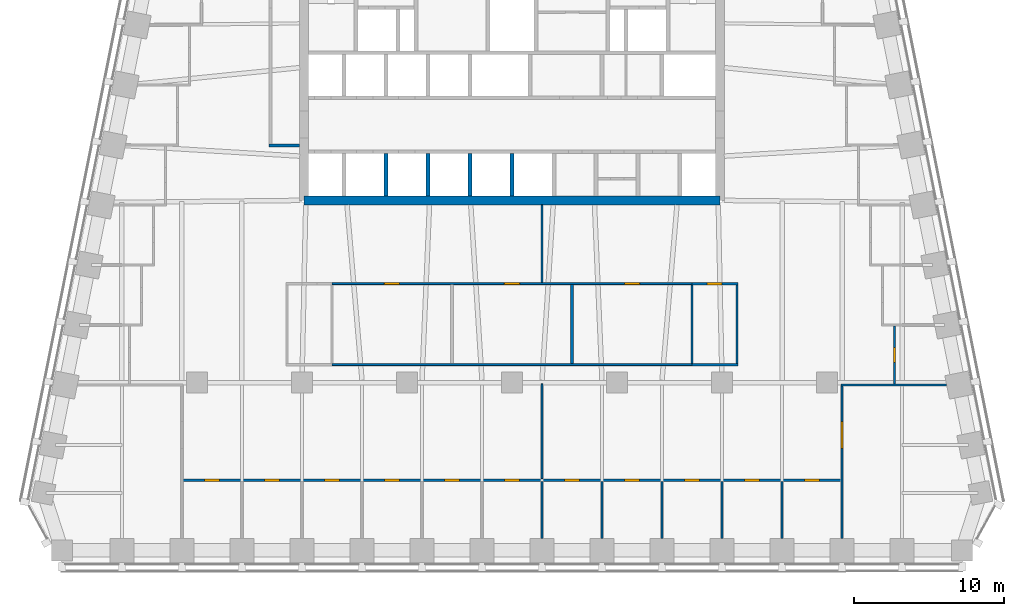
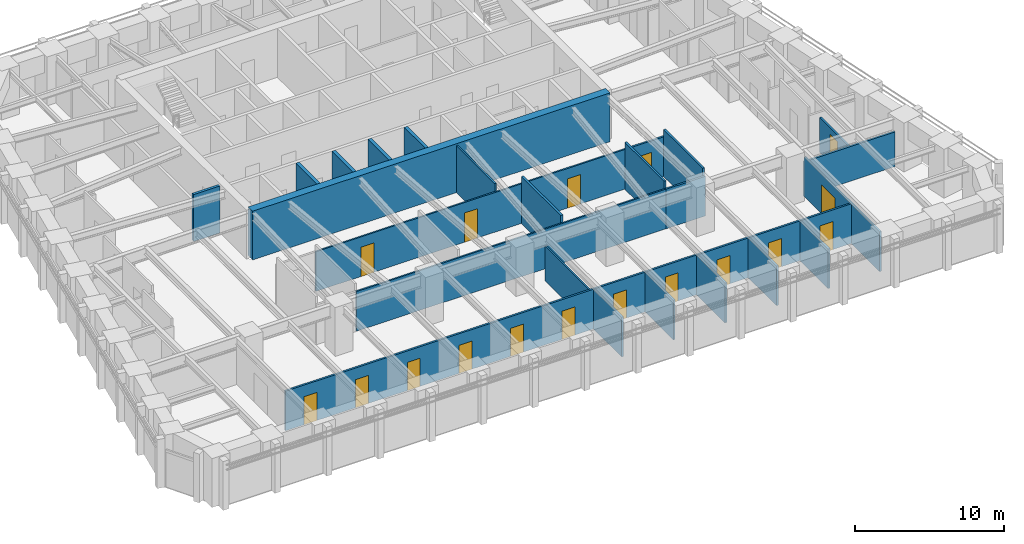
# One storey, part 6 of 11: 24 walls, 17 doors, 17 openings.
"""IFC4 building model written with IfcOpenShell, lengths in metres."""

from ifc_helpers import new_model, si_unit, direction, frame, frame_2d, origin, place, context, subcontext, project, spatial, rectangle, extrude, material, layer, layer_set, type_object, element, fill, save


model = new_model("IFC4")

# Units and contexts
model_context = context("Model", 3, precision=1e-05, world=origin(), true_north=direction((0.0, 1.0)))
body_context = subcontext(model_context, "Body", "Model", "MODEL_VIEW")
ifc_project = project(units=[si_unit("LENGTHUNIT", "METRE"), si_unit("AREAUNIT", "SQUARE_METRE"), si_unit("VOLUMEUNIT", "CUBIC_METRE"), si_unit("PLANEANGLEUNIT", "RADIAN"), si_unit("MASSUNIT", "GRAM", prefix="KILO")], contexts=[model_context])

# Site, building, storey
site_placement = place(None, origin())
site = spatial("IfcSite", under=ifc_project, at=site_placement, CompositionType="ELEMENT")
building_placement = place(site_placement, origin())
building = spatial("IfcBuilding", under=site, at=building_placement, Name="Isbrekke Arena Tower", CompositionType="ELEMENT")
storey_placement = place(building_placement, frame((0.0, 0.0, 210.0)))
storey = spatial("IfcBuildingStorey", under=building, at=storey_placement, Name="L48", CompositionType="ELEMENT", Elevation=210.0)

# Walls
ifc_material_1 = material(Name="Concrete B55 (C55/67)", Category="concrete")
ifc_layer_1 = layer(ifc_material_1, 0.60009765625)
ifc_layer_set_1 = layer_set([ifc_layer_1], Name="CW4 CORE WALL 600")
wall_type_1 = type_object("IfcWallType", Name="CW4 CORE WALL 600", PredefinedType="SHEAR", material=ifc_layer_set_1)
wall_1_placement = place(storey_placement, frame((-13.85009765625, 6.14990234375, 0.0), z_axis=(0.0, 0.0, 1.0), x_axis=(1.0, 0.0, 0.0)))
element("IfcWall", 1, at=wall_1_placement, inside=storey, type_object=wall_type_1, Name="Core wall S L48", PredefinedType="SHEAR", context=body_context, shape_type="SweptSolid", body=[
    extrude(rectangle(XDim=27.7001953125, YDim=0.60009765625, at=frame_2d((13.85009765625, 0.0))), origin(), (0.0, 0.0, 1.0), 4.0),
])
ifc_material_2 = material(Name="Concrete B45 (C45/55)", Category="concrete")
ifc_layer_2 = layer(ifc_material_2, 0.25)
ifc_layer_set_2 = layer_set([ifc_layer_2], Name="CW6 SHAFT WALL 250")
wall_type_2 = type_object("IfcWallType", Name="CW6 SHAFT WALL 250", PredefinedType="SHEAR", material=ifc_layer_set_2)
for number, where, z_axis, x_axis, name in (
    (2, (-8.39990234375, 6.449951171875, 0.0), (0.0, 0.0, 1.0), (0.0, 1.0, 0.0), "Core wall SS02 L48"),
    (3, (-5.60009765625, 6.449951171875, 0.0), (0.0, 0.0, 1.0), (0.0, 1.0, 0.0), "Core wall SS03 L48"),
    (4, (-2.800048828125, 6.449951171875, 0.0), (0.0, 0.0, 1.0), (0.0, 1.0, 0.0), "Core wall SS04 L48"),
    (5, (0.0, 6.449951171875, 0.0), (0.0, 0.0, 1.0), (0.0, 1.0, 0.0), "Core wall SS05 L48"),
):
    element("IfcWall", number, at=place(storey_placement, frame(where, z_axis=z_axis, x_axis=x_axis)), inside=storey, type_object=wall_type_2, Name=name, PredefinedType="SHEAR", context=body_context, shape_type="SweptSolid", body=[
        extrude(rectangle(XDim=2.824951171875, YDim=0.25, at=frame_2d((1.41259765625, 0.0))), origin(), (0.0, 0.0, 1.0), 4.0),
    ])

# Wall, openings, doors
ifc_material_3 = material(Name="Gypsum board partition on steel studs", Category="steel")
ifc_layer_3 = layer(ifc_material_3, 0.14990234375)
ifc_layer_set_3 = layer_set([ifc_layer_3], Name="IW1 PARTITION 150")
wall_type_3 = type_object("IfcWallType", Name="IW1 PARTITION 150", PredefinedType="PARTITIONING", material=ifc_layer_set_3)
wall_2_placement = place(storey_placement, frame((-21.925048828125, -12.5, 0.0), z_axis=(0.0, 0.0, 1.0), x_axis=(1.0, 0.0, 0.0)))
wall_2 = element("IfcWall", 6, at=wall_2_placement, inside=storey, type_object=wall_type_3, Name="IW1 partition 150 L48", PredefinedType="PARTITIONING", context=body_context, shape_type="SweptSolid", body=[
    extrude(rectangle(XDim=43.85009765625, YDim=0.14990234375, at=frame_2d((21.925048828125, 0.0))), origin(), (0.0, 0.0, 1.0), 3.25),
])
opening_1_placement = place(wall_2_placement, frame((1.425048828125, 0.0, 0.0)))
opening_1 = element("IfcOpeningElement", 7, at=opening_1_placement, cuts=wall_2, Name="Opening D10", PredefinedType="OPENING", context=body_context, shape_type="SweptSolid", body=[
    extrude(rectangle(XDim=1.0, YDim=2.300048828125, at=frame_2d((0.5, 1.14990234375))), frame((0.0, 0.08984375, 0.0), z_axis=(0.0, -1.0, 0.0), x_axis=(1.0, 0.0, 0.0)), (0.0, 0.0, 1.0), 0.1796875),
])
opening_2_placement = place(wall_2_placement, frame((5.425048828125, 0.0, 0.0)))
opening_2 = element("IfcOpeningElement", 8, at=opening_2_placement, cuts=wall_2, Name="Opening D10", PredefinedType="OPENING", context=body_context, shape_type="SweptSolid", body=[
    extrude(rectangle(XDim=1.0, YDim=2.300048828125, at=frame_2d((0.5, 1.14990234375))), frame((0.0, 0.08984375, 0.0), z_axis=(0.0, -1.0, 0.0), x_axis=(1.0, 0.0, 0.0)), (0.0, 0.0, 1.0), 0.1796875),
])
opening_3_placement = place(wall_2_placement, frame((9.425048828125, 0.0, 0.0)))
opening_3 = element("IfcOpeningElement", 9, at=opening_3_placement, cuts=wall_2, Name="Opening D10", PredefinedType="OPENING", context=body_context, shape_type="SweptSolid", body=[
    extrude(rectangle(XDim=1.0, YDim=2.300048828125, at=frame_2d((0.5, 1.14990234375))), frame((0.0, 0.08984375, 0.0), z_axis=(0.0, -1.0, 0.0), x_axis=(1.0, 0.0, 0.0)), (0.0, 0.0, 1.0), 0.1796875),
])
opening_4_placement = place(wall_2_placement, frame((13.425048828125, 0.0, 0.0)))
opening_4 = element("IfcOpeningElement", 10, at=opening_4_placement, cuts=wall_2, Name="Opening D10", PredefinedType="OPENING", context=body_context, shape_type="SweptSolid", body=[
    extrude(rectangle(XDim=1.0, YDim=2.300048828125, at=frame_2d((0.5, 1.14990234375))), frame((0.0, 0.08984375, 0.0), z_axis=(0.0, -1.0, 0.0), x_axis=(1.0, 0.0, 0.0)), (0.0, 0.0, 1.0), 0.1796875),
])
opening_5_placement = place(wall_2_placement, frame((17.425048828125, 0.0, 0.0)))
opening_5 = element("IfcOpeningElement", 11, at=opening_5_placement, cuts=wall_2, Name="Opening D10", PredefinedType="OPENING", context=body_context, shape_type="SweptSolid", body=[
    extrude(rectangle(XDim=1.0, YDim=2.300048828125, at=frame_2d((0.5, 1.14990234375))), frame((0.0, 0.08984375, 0.0), z_axis=(0.0, -1.0, 0.0), x_axis=(1.0, 0.0, 0.0)), (0.0, 0.0, 1.0), 0.1796875),
])
opening_6_placement = place(wall_2_placement, frame((21.425048828125, 0.0, 0.0)))
opening_6 = element("IfcOpeningElement", 12, at=opening_6_placement, cuts=wall_2, Name="Opening D10", PredefinedType="OPENING", context=body_context, shape_type="SweptSolid", body=[
    extrude(rectangle(XDim=1.0, YDim=2.300048828125, at=frame_2d((0.5, 1.14990234375))), frame((0.0, 0.08984375, 0.0), z_axis=(0.0, -1.0, 0.0), x_axis=(1.0, 0.0, 0.0)), (0.0, 0.0, 1.0), 0.1796875),
])
opening_7_placement = place(wall_2_placement, frame((25.425048828125, 0.0, 0.0)))
opening_7 = element("IfcOpeningElement", 13, at=opening_7_placement, cuts=wall_2, Name="Opening D10", PredefinedType="OPENING", context=body_context, shape_type="SweptSolid", body=[
    extrude(rectangle(XDim=1.0, YDim=2.300048828125, at=frame_2d((0.5, 1.14990234375))), frame((0.0, 0.08984375, 0.0), z_axis=(0.0, -1.0, 0.0), x_axis=(1.0, 0.0, 0.0)), (0.0, 0.0, 1.0), 0.1796875),
])
opening_8_placement = place(wall_2_placement, frame((29.425048828125, 0.0, 0.0)))
opening_8 = element("IfcOpeningElement", 14, at=opening_8_placement, cuts=wall_2, Name="Opening D10", PredefinedType="OPENING", context=body_context, shape_type="SweptSolid", body=[
    extrude(rectangle(XDim=1.0, YDim=2.300048828125, at=frame_2d((0.5, 1.14990234375))), frame((0.0, 0.08984375, 0.0), z_axis=(0.0, -1.0, 0.0), x_axis=(1.0, 0.0, 0.0)), (0.0, 0.0, 1.0), 0.1796875),
])
opening_9_placement = place(wall_2_placement, frame((33.425048828125, 0.0, 0.0)))
opening_9 = element("IfcOpeningElement", 15, at=opening_9_placement, cuts=wall_2, Name="Opening D10", PredefinedType="OPENING", context=body_context, shape_type="SweptSolid", body=[
    extrude(rectangle(XDim=1.0, YDim=2.300048828125, at=frame_2d((0.5, 1.14990234375))), frame((0.0, 0.08984375, 0.0), z_axis=(0.0, -1.0, 0.0), x_axis=(1.0, 0.0, 0.0)), (0.0, 0.0, 1.0), 0.1796875),
])
opening_10_placement = place(wall_2_placement, frame((37.425048828125, 0.0, 0.0)))
opening_10 = element("IfcOpeningElement", 16, at=opening_10_placement, cuts=wall_2, Name="Opening D10", PredefinedType="OPENING", context=body_context, shape_type="SweptSolid", body=[
    extrude(rectangle(XDim=1.0, YDim=2.300048828125, at=frame_2d((0.5, 1.14990234375))), frame((0.0, 0.08984375, 0.0), z_axis=(0.0, -1.0, 0.0), x_axis=(1.0, 0.0, 0.0)), (0.0, 0.0, 1.0), 0.1796875),
])
opening_11_placement = place(wall_2_placement, frame((41.425048828125, 0.0, 0.0)))
opening_11 = element("IfcOpeningElement", 17, at=opening_11_placement, cuts=wall_2, Name="Opening D10", PredefinedType="OPENING", context=body_context, shape_type="SweptSolid", body=[
    extrude(rectangle(XDim=1.0, YDim=2.300048828125, at=frame_2d((0.5, 1.14990234375))), frame((0.0, 0.08984375, 0.0), z_axis=(0.0, -1.0, 0.0), x_axis=(1.0, 0.0, 0.0)), (0.0, 0.0, 1.0), 0.1796875),
])
ifc_material_4 = material(Name="Timber door", Category="wood")
door_type_1 = type_object("IfcDoorType", Name="D10 OFFICE DOOR 1000 x 2300", OperationType="SINGLE_SWING_LEFT", PredefinedType="DOOR", material=ifc_material_4)
door_1_placement = place(opening_1_placement, origin())
door_1 = element("IfcDoor", 18, at=door_1_placement, inside=storey, type_object=door_type_1, Name="D10 office door L48", OperationType="SINGLE_SWING_LEFT", OverallHeight=2.300048828125, OverallWidth=1.0, PredefinedType="DOOR", context=body_context, shape_type="SweptSolid", body=[
    extrude(rectangle(XDim=1.0, YDim=2.300048828125, at=frame_2d((0.5, 1.14990234375))), frame((0.0, 0.07470703125, 0.0), z_axis=(0.0, -1.0, 0.0), x_axis=(1.0, 0.0, 0.0)), (0.0, 0.0, 1.0), 0.1494140625),
])
fill(opening_1, door_1)
door_2_placement = place(opening_2_placement, origin())
door_2 = element("IfcDoor", 19, at=door_2_placement, inside=storey, type_object=door_type_1, Name="D10 office door L48", OperationType="SINGLE_SWING_LEFT", OverallHeight=2.300048828125, OverallWidth=1.0, PredefinedType="DOOR", context=body_context, shape_type="SweptSolid", body=[
    extrude(rectangle(XDim=1.0, YDim=2.300048828125, at=frame_2d((0.5, 1.14990234375))), frame((0.0, 0.07470703125, 0.0), z_axis=(0.0, -1.0, 0.0), x_axis=(1.0, 0.0, 0.0)), (0.0, 0.0, 1.0), 0.1494140625),
])
fill(opening_2, door_2)
door_3_placement = place(opening_3_placement, origin())
door_3 = element("IfcDoor", 20, at=door_3_placement, inside=storey, type_object=door_type_1, Name="D10 office door L48", OperationType="SINGLE_SWING_LEFT", OverallHeight=2.300048828125, OverallWidth=1.0, PredefinedType="DOOR", context=body_context, shape_type="SweptSolid", body=[
    extrude(rectangle(XDim=1.0, YDim=2.300048828125, at=frame_2d((0.5, 1.14990234375))), frame((0.0, 0.07470703125, 0.0), z_axis=(0.0, -1.0, 0.0), x_axis=(1.0, 0.0, 0.0)), (0.0, 0.0, 1.0), 0.1494140625),
])
fill(opening_3, door_3)
door_4_placement = place(opening_4_placement, origin())
door_4 = element("IfcDoor", 21, at=door_4_placement, inside=storey, type_object=door_type_1, Name="D10 office door L48", OperationType="SINGLE_SWING_LEFT", OverallHeight=2.300048828125, OverallWidth=1.0, PredefinedType="DOOR", context=body_context, shape_type="SweptSolid", body=[
    extrude(rectangle(XDim=1.0, YDim=2.300048828125, at=frame_2d((0.5, 1.14990234375))), frame((0.0, 0.07470703125, 0.0), z_axis=(0.0, -1.0, 0.0), x_axis=(1.0, 0.0, 0.0)), (0.0, 0.0, 1.0), 0.1494140625),
])
fill(opening_4, door_4)
door_5_placement = place(opening_5_placement, origin())
door_5 = element("IfcDoor", 22, at=door_5_placement, inside=storey, type_object=door_type_1, Name="D10 office door L48", OperationType="SINGLE_SWING_LEFT", OverallHeight=2.300048828125, OverallWidth=1.0, PredefinedType="DOOR", context=body_context, shape_type="SweptSolid", body=[
    extrude(rectangle(XDim=1.0, YDim=2.300048828125, at=frame_2d((0.5, 1.14990234375))), frame((0.0, 0.07470703125, 0.0), z_axis=(0.0, -1.0, 0.0), x_axis=(1.0, 0.0, 0.0)), (0.0, 0.0, 1.0), 0.1494140625),
])
fill(opening_5, door_5)
door_6_placement = place(opening_6_placement, origin())
door_6 = element("IfcDoor", 23, at=door_6_placement, inside=storey, type_object=door_type_1, Name="D10 office door L48", OperationType="SINGLE_SWING_LEFT", OverallHeight=2.300048828125, OverallWidth=1.0, PredefinedType="DOOR", context=body_context, shape_type="SweptSolid", body=[
    extrude(rectangle(XDim=1.0, YDim=2.300048828125, at=frame_2d((0.5, 1.14990234375))), frame((0.0, 0.07470703125, 0.0), z_axis=(0.0, -1.0, 0.0), x_axis=(1.0, 0.0, 0.0)), (0.0, 0.0, 1.0), 0.1494140625),
])
fill(opening_6, door_6)
door_7_placement = place(opening_7_placement, origin())
door_7 = element("IfcDoor", 24, at=door_7_placement, inside=storey, type_object=door_type_1, Name="D10 office door L48", OperationType="SINGLE_SWING_LEFT", OverallHeight=2.300048828125, OverallWidth=1.0, PredefinedType="DOOR", context=body_context, shape_type="SweptSolid", body=[
    extrude(rectangle(XDim=1.0, YDim=2.300048828125, at=frame_2d((0.5, 1.14990234375))), frame((0.0, 0.07470703125, 0.0), z_axis=(0.0, -1.0, 0.0), x_axis=(1.0, 0.0, 0.0)), (0.0, 0.0, 1.0), 0.1494140625),
])
fill(opening_7, door_7)
door_8_placement = place(opening_8_placement, origin())
door_8 = element("IfcDoor", 25, at=door_8_placement, inside=storey, type_object=door_type_1, Name="D10 office door L48", OperationType="SINGLE_SWING_LEFT", OverallHeight=2.300048828125, OverallWidth=1.0, PredefinedType="DOOR", context=body_context, shape_type="SweptSolid", body=[
    extrude(rectangle(XDim=1.0, YDim=2.300048828125, at=frame_2d((0.5, 1.14990234375))), frame((0.0, 0.07470703125, 0.0), z_axis=(0.0, -1.0, 0.0), x_axis=(1.0, 0.0, 0.0)), (0.0, 0.0, 1.0), 0.1494140625),
])
fill(opening_8, door_8)
door_9_placement = place(opening_9_placement, origin())
door_9 = element("IfcDoor", 26, at=door_9_placement, inside=storey, type_object=door_type_1, Name="D10 office door L48", OperationType="SINGLE_SWING_LEFT", OverallHeight=2.300048828125, OverallWidth=1.0, PredefinedType="DOOR", context=body_context, shape_type="SweptSolid", body=[
    extrude(rectangle(XDim=1.0, YDim=2.300048828125, at=frame_2d((0.5, 1.14990234375))), frame((0.0, 0.07470703125, 0.0), z_axis=(0.0, -1.0, 0.0), x_axis=(1.0, 0.0, 0.0)), (0.0, 0.0, 1.0), 0.1494140625),
])
fill(opening_9, door_9)
door_10_placement = place(opening_10_placement, origin())
door_10 = element("IfcDoor", 27, at=door_10_placement, inside=storey, type_object=door_type_1, Name="D10 office door L48", OperationType="SINGLE_SWING_LEFT", OverallHeight=2.300048828125, OverallWidth=1.0, PredefinedType="DOOR", context=body_context, shape_type="SweptSolid", body=[
    extrude(rectangle(XDim=1.0, YDim=2.300048828125, at=frame_2d((0.5, 1.14990234375))), frame((0.0, 0.07470703125, 0.0), z_axis=(0.0, -1.0, 0.0), x_axis=(1.0, 0.0, 0.0)), (0.0, 0.0, 1.0), 0.1494140625),
])
fill(opening_10, door_10)
door_11_placement = place(opening_11_placement, origin())
door_11 = element("IfcDoor", 28, at=door_11_placement, inside=storey, type_object=door_type_1, Name="D10 office door L48", OperationType="SINGLE_SWING_LEFT", OverallHeight=2.300048828125, OverallWidth=1.0, PredefinedType="DOOR", context=body_context, shape_type="SweptSolid", body=[
    extrude(rectangle(XDim=1.0, YDim=2.300048828125, at=frame_2d((0.5, 1.14990234375))), frame((0.0, 0.07470703125, 0.0), z_axis=(0.0, -1.0, 0.0), x_axis=(1.0, 0.0, 0.0)), (0.0, 0.0, 1.0), 0.1494140625),
])
fill(opening_11, door_11)

# Walls
wall_3_placement = place(storey_placement, frame((21.925048828125, -6.159912109375, 0.0), z_axis=(0.0, 0.0, 1.0), x_axis=(1.0, 0.0, 0.0)))
element("IfcWall", 29, at=wall_3_placement, inside=storey, type_object=wall_type_3, Name="IW1 partition 150 L48", PredefinedType="PARTITIONING", context=body_context, shape_type="SweptSolid", body=[
    extrude(rectangle(XDim=7.0498046875, YDim=0.14990234375, at=frame_2d((3.52490234375, 0.0))), origin(), (0.0, 0.0, 1.0), 2.842041015625),
])
wall_4_placement = place(storey_placement, frame((12.0, -4.800048828125, 0.0), z_axis=(0.0, 0.0, 1.0), x_axis=(1.0, 0.0, 0.0)))
element("IfcWall", 30, at=wall_4_placement, inside=storey, type_object=wall_type_3, Name="IW1 partition 150 L48", PredefinedType="PARTITIONING", context=body_context, shape_type="SweptSolid", body=[
    extrude(rectangle(XDim=3.074951171875, YDim=0.14990234375, at=frame_2d((1.53759765625, 0.0))), origin(), (0.0, 0.0, 1.0), 3.25),
])

# Wall, opening, door
wall_5_placement = place(storey_placement, frame((12.0, 0.60009765625, 0.0), z_axis=(0.0, 0.0, 1.0), x_axis=(1.0, 0.0, 0.0)))
wall_5 = element("IfcWall", 31, at=wall_5_placement, inside=storey, type_object=wall_type_3, Name="IW1 partition 150 L48", PredefinedType="PARTITIONING", context=body_context, shape_type="SweptSolid", body=[
    extrude(rectangle(XDim=3.074951171875, YDim=0.14990234375, at=frame_2d((1.53759765625, 0.0))), origin(), (0.0, 0.0, 1.0), 3.25),
])
opening_12_placement = place(wall_5_placement, frame((1.0, 0.0, 0.0)))
opening_12 = element("IfcOpeningElement", 32, at=opening_12_placement, cuts=wall_5, Name="Opening D10", PredefinedType="OPENING", context=body_context, shape_type="SweptSolid", body=[
    extrude(rectangle(XDim=1.0, YDim=2.300048828125, at=frame_2d((0.5, 1.14990234375))), frame((0.0, 0.08984375, 0.0), z_axis=(0.0, -1.0, 0.0), x_axis=(1.0, 0.0, 0.0)), (0.0, 0.0, 1.0), 0.1796875),
])
door_12_placement = place(opening_12_placement, origin())
door_12 = element("IfcDoor", 33, at=door_12_placement, inside=storey, type_object=door_type_1, Name="D10 store door L48", OperationType="SINGLE_SWING_LEFT", OverallHeight=2.300048828125, OverallWidth=1.0, PredefinedType="DOOR", context=body_context, shape_type="SweptSolid", body=[
    extrude(rectangle(XDim=1.0, YDim=2.300048828125, at=frame_2d((0.5, 1.14990234375))), frame((0.0, 0.07470703125, 0.0), z_axis=(0.0, -1.0, 0.0), x_axis=(1.0, 0.0, 0.0)), (0.0, 0.0, 1.0), 0.1494140625),
])
fill(opening_12, door_12)

# Walls
for number, where, z_axis, x_axis, name in (
    (34, (2.0, -16.375, 0.0), (0.0, 0.0, 1.0), (0.0, 1.0, 0.0), "IW1 partition 150 L48"),
    (35, (6.0, -16.375, 0.0), (0.0, 0.0, 1.0), (0.0, 1.0, 0.0), "IW1 partition 150 L48"),
    (36, (10.0, -16.375, 0.0), (0.0, 0.0, 1.0), (0.0, 1.0, 0.0), "IW1 partition 150 L48"),
):
    element("IfcWall", number, at=place(storey_placement, frame(where, z_axis=z_axis, x_axis=x_axis)), inside=storey, type_object=wall_type_3, Name=name, PredefinedType="PARTITIONING", context=body_context, shape_type="SweptSolid", body=[
        extrude(rectangle(XDim=3.800048828125, YDim=0.14990234375, at=frame_2d((1.89990234375, 0.0))), origin(), (0.0, 0.0, 1.0), 3.25),
    ])
wall_6_placement = place(storey_placement, frame((12.0, -4.72509765625, 0.0), z_axis=(0.0, 0.0, 1.0), x_axis=(0.0, 1.0, 0.0)))
element("IfcWall", 37, at=wall_6_placement, inside=storey, type_object=wall_type_3, Name="IW1 partition 150 L48", PredefinedType="PARTITIONING", context=body_context, shape_type="SweptSolid", body=[
    extrude(rectangle(XDim=5.25, YDim=0.14990234375, at=frame_2d((2.625, 0.0))), origin(), (0.0, 0.0, 1.0), 3.85009765625),
])
wall_7_placement = place(storey_placement, frame((14.0, -16.375, 0.0), z_axis=(0.0, 0.0, 1.0), x_axis=(0.0, 1.0, 0.0)))
element("IfcWall", 38, at=wall_7_placement, inside=storey, type_object=wall_type_3, Name="IW1 partition 150 L48", PredefinedType="PARTITIONING", context=body_context, shape_type="SweptSolid", body=[
    extrude(rectangle(XDim=3.800048828125, YDim=0.14990234375, at=frame_2d((1.89990234375, 0.0))), origin(), (0.0, 0.0, 1.0), 3.25),
])
wall_8_placement = place(storey_placement, frame((15.0, -4.72509765625, 0.0), z_axis=(0.0, 0.0, 1.0), x_axis=(0.0, 1.0, 0.0)))
element("IfcWall", 39, at=wall_8_placement, inside=storey, type_object=wall_type_3, Name="IW1 partition 150 L48", PredefinedType="PARTITIONING", context=body_context, shape_type="SweptSolid", body=[
    extrude(rectangle(XDim=5.25, YDim=0.14990234375, at=frame_2d((2.625, 0.0))), origin(), (0.0, 0.0, 1.0), 3.85009765625),
])
wall_9_placement = place(storey_placement, frame((18.0, -16.375, 0.0), z_axis=(0.0, 0.0, 1.0), x_axis=(0.0, 1.0, 0.0)))
element("IfcWall", 40, at=wall_9_placement, inside=storey, type_object=wall_type_3, Name="IW1 partition 150 L48", PredefinedType="PARTITIONING", context=body_context, shape_type="SweptSolid", body=[
    extrude(rectangle(XDim=3.800048828125, YDim=0.14990234375, at=frame_2d((1.89990234375, 0.0))), origin(), (0.0, 0.0, 1.0), 3.25),
])

# Wall, opening, door
wall_10_placement = place(storey_placement, frame((22.0, -16.375, 0.0), z_axis=(0.0, 0.0, 1.0), x_axis=(0.0, 1.0, 0.0)))
wall_10 = element("IfcWall", 41, at=wall_10_placement, inside=storey, type_object=wall_type_3, Name="IW1 partition 150 L48", PredefinedType="PARTITIONING", context=body_context, shape_type="SweptSolid", body=[
    extrude(rectangle(XDim=10.139892578125, YDim=0.14990234375, at=frame_2d((5.06982421875, 0.0))), origin(), (0.0, 0.0, 1.0), 3.25),
])
opening_13_placement = place(wall_10_placement, frame((5.97509765625, 0.0, 0.0)))
opening_13 = element("IfcOpeningElement", 42, at=opening_13_placement, cuts=wall_10, Name="Opening D13", PredefinedType="OPENING", context=body_context, shape_type="SweptSolid", body=[
    extrude(rectangle(XDim=1.800048828125, YDim=2.39990234375, at=frame_2d((0.89990234375, 1.199951171875))), frame((0.0, 0.08984375, 0.0), z_axis=(0.0, -1.0, 0.0), x_axis=(1.0, 0.0, 0.0)), (0.0, 0.0, 1.0), 0.1796875),
])
ifc_material_5 = material(Name="Timber door pair", Category="wood")
door_type_2 = type_object("IfcDoorType", Name="D13 DOUBLE ROOM DOOR 1800 x 2400", OperationType="DOUBLE_DOOR_SINGLE_SWING", PredefinedType="DOOR", material=ifc_material_5)
door_13_placement = place(opening_13_placement, origin())
door_13 = element("IfcDoor", 43, at=door_13_placement, inside=storey, type_object=door_type_2, Name="D13 office door L48", OperationType="DOUBLE_DOOR_SINGLE_SWING", OverallHeight=2.39990234375, OverallWidth=1.800048828125, PredefinedType="DOOR", context=body_context, shape_type="SweptSolid", body=[
    extrude(rectangle(XDim=1.800048828125, YDim=2.39990234375, at=frame_2d((0.89990234375, 1.199951171875))), frame((0.0, 0.07470703125, 0.0), z_axis=(0.0, -1.0, 0.0), x_axis=(1.0, 0.0, 0.0)), (0.0, 0.0, 1.0), 0.1494140625),
])
fill(opening_13, door_13)

wall_11_placement = place(storey_placement, frame((25.5, -6.0849609375, 0.0), z_axis=(0.0, 0.0, 1.0), x_axis=(0.0, 1.0, 0.0)))
wall_11 = element("IfcWall", 44, at=wall_11_placement, inside=storey, type_object=wall_type_3, Name="IW1 partition 150 L48", PredefinedType="PARTITIONING", context=body_context, shape_type="SweptSolid", body=[
    extrude(rectangle(XDim=3.849853515625, YDim=0.14990234375, at=frame_2d((1.9248046875, 0.0))), origin(), (0.0, 0.0, 1.0), 2.842041015625),
])
opening_14_placement = place(wall_11_placement, frame((1.425048828125, 0.0, 0.0)))
opening_14 = element("IfcOpeningElement", 45, at=opening_14_placement, cuts=wall_11, Name="Opening D10", PredefinedType="OPENING", context=body_context, shape_type="SweptSolid", body=[
    extrude(rectangle(XDim=1.0, YDim=2.300048828125, at=frame_2d((0.5, 1.14990234375))), frame((0.0, 0.08984375, 0.0), z_axis=(0.0, -1.0, 0.0), x_axis=(1.0, 0.0, 0.0)), (0.0, 0.0, 1.0), 0.1796875),
])
door_14_placement = place(opening_14_placement, origin())
door_14 = element("IfcDoor", 46, at=door_14_placement, inside=storey, type_object=door_type_1, Name="D10 office door L48", OperationType="SINGLE_SWING_LEFT", OverallHeight=2.300048828125, OverallWidth=1.0, PredefinedType="DOOR", context=body_context, shape_type="SweptSolid", body=[
    extrude(rectangle(XDim=1.0, YDim=2.300048828125, at=frame_2d((0.5, 1.14990234375))), frame((0.0, 0.07470703125, 0.0), z_axis=(0.0, -1.0, 0.0), x_axis=(1.0, 0.0, 0.0)), (0.0, 0.0, 1.0), 0.1494140625),
])
fill(opening_14, door_14)

# Wall
ifc_material_6 = material(Name="Frameless glazed partition, laminated acoustic glass", Category="glass")
ifc_layer_4 = layer(ifc_material_6, 0.1201171875)
ifc_layer_set_4 = layer_set([ifc_layer_4], Name="IW2 GLAZED PARTITION 120")
wall_type_4 = type_object("IfcWallType", Name="IW2 GLAZED PARTITION 120", PredefinedType="PARTITIONING", material=ifc_layer_set_4)
wall_12_placement = place(storey_placement, frame((-12.0, -4.800048828125, 0.0), z_axis=(0.0, 0.0, 1.0), x_axis=(1.0, 0.0, 0.0)))
element("IfcWall", 47, at=wall_12_placement, inside=storey, type_object=wall_type_4, Name="IW2 glazed partition 120 L48", PredefinedType="PARTITIONING", context=body_context, shape_type="SweptSolid", body=[
    extrude(rectangle(XDim=24.0, YDim=0.1201171875, at=frame_2d((12.0, 0.0))), origin(), (0.0, 0.0, 1.0), 3.25),
])

# Wall, openings, doors
wall_13_placement = place(storey_placement, frame((-12.0, 0.60009765625, 0.0), z_axis=(0.0, 0.0, 1.0), x_axis=(1.0, 0.0, 0.0)))
wall_13 = element("IfcWall", 48, at=wall_13_placement, inside=storey, type_object=wall_type_4, Name="IW2 glazed partition 120 L48", PredefinedType="PARTITIONING", context=body_context, shape_type="SweptSolid", body=[
    extrude(rectangle(XDim=24.0, YDim=0.1201171875, at=frame_2d((12.0, 0.0))), origin(), (0.0, 0.0, 1.0), 3.25),
])
opening_15_placement = place(wall_13_placement, frame((3.5, 0.0, 0.0)))
opening_15 = element("IfcOpeningElement", 49, at=opening_15_placement, cuts=wall_13, Name="Opening D11", PredefinedType="OPENING", context=body_context, shape_type="SweptSolid", body=[
    extrude(rectangle(XDim=1.0, YDim=2.39990234375, at=frame_2d((0.5, 1.199951171875))), frame((0.0, 0.074951171875, 0.0), z_axis=(0.0, -1.0, 0.0), x_axis=(1.0, 0.0, 0.0)), (0.0, 0.0, 1.0), 0.14990234375),
])
opening_16_placement = place(wall_13_placement, frame((11.5, 0.0, 0.0)))
opening_16 = element("IfcOpeningElement", 50, at=opening_16_placement, cuts=wall_13, Name="Opening D11", PredefinedType="OPENING", context=body_context, shape_type="SweptSolid", body=[
    extrude(rectangle(XDim=1.0, YDim=2.39990234375, at=frame_2d((0.5, 1.199951171875))), frame((0.0, 0.074951171875, 0.0), z_axis=(0.0, -1.0, 0.0), x_axis=(1.0, 0.0, 0.0)), (0.0, 0.0, 1.0), 0.14990234375),
])
opening_17_placement = place(wall_13_placement, frame((19.5, 0.0, 0.0)))
opening_17 = element("IfcOpeningElement", 51, at=opening_17_placement, cuts=wall_13, Name="Opening D11", PredefinedType="OPENING", context=body_context, shape_type="SweptSolid", body=[
    extrude(rectangle(XDim=1.0, YDim=2.39990234375, at=frame_2d((0.5, 1.199951171875))), frame((0.0, 0.074951171875, 0.0), z_axis=(0.0, -1.0, 0.0), x_axis=(1.0, 0.0, 0.0)), (0.0, 0.0, 1.0), 0.14990234375),
])
ifc_material_7 = material(Name="Frameless glazed door", Category="glass")
door_type_3 = type_object("IfcDoorType", Name="D11 GLAZED MEETING ROOM DOOR 1000 x 2400", OperationType="SINGLE_SWING_RIGHT", PredefinedType="DOOR", material=ifc_material_7)
door_15_placement = place(opening_15_placement, origin())
door_15 = element("IfcDoor", 52, at=door_15_placement, inside=storey, type_object=door_type_3, Name="D11 meeting room door L48", OperationType="SINGLE_SWING_RIGHT", OverallHeight=2.39990234375, OverallWidth=1.0, PredefinedType="DOOR", context=body_context, shape_type="SweptSolid", body=[
    extrude(rectangle(XDim=1.0, YDim=2.39990234375, at=frame_2d((0.5, 1.199951171875))), frame((0.0, 0.059814453125, 0.0), z_axis=(0.0, -1.0, 0.0), x_axis=(1.0, 0.0, 0.0)), (0.0, 0.0, 1.0), 0.11962890625),
])
fill(opening_15, door_15)
door_16_placement = place(opening_16_placement, origin())
door_16 = element("IfcDoor", 53, at=door_16_placement, inside=storey, type_object=door_type_3, Name="D11 meeting room door L48", OperationType="SINGLE_SWING_RIGHT", OverallHeight=2.39990234375, OverallWidth=1.0, PredefinedType="DOOR", context=body_context, shape_type="SweptSolid", body=[
    extrude(rectangle(XDim=1.0, YDim=2.39990234375, at=frame_2d((0.5, 1.199951171875))), frame((0.0, 0.059814453125, 0.0), z_axis=(0.0, -1.0, 0.0), x_axis=(1.0, 0.0, 0.0)), (0.0, 0.0, 1.0), 0.11962890625),
])
fill(opening_16, door_16)
door_17_placement = place(opening_17_placement, origin())
door_17 = element("IfcDoor", 54, at=door_17_placement, inside=storey, type_object=door_type_3, Name="D11 meeting room door L48", OperationType="SINGLE_SWING_RIGHT", OverallHeight=2.39990234375, OverallWidth=1.0, PredefinedType="DOOR", context=body_context, shape_type="SweptSolid", body=[
    extrude(rectangle(XDim=1.0, YDim=2.39990234375, at=frame_2d((0.5, 1.199951171875))), frame((0.0, 0.059814453125, 0.0), z_axis=(0.0, -1.0, 0.0), x_axis=(1.0, 0.0, 0.0)), (0.0, 0.0, 1.0), 0.11962890625),
])
fill(opening_17, door_17)

# Walls
wall_14_placement = place(storey_placement, frame((2.0009765625, -12.405029296875, 0.0), z_axis=(0.0, 0.0, 1.0), x_axis=(0.0, 1.0, 0.0)))
element("IfcWall", 55, at=wall_14_placement, inside=storey, type_object=wall_type_4, Name="IW2 glazed partition 120 L48", PredefinedType="PARTITIONING", context=body_context, shape_type="SweptSolid", body=[
    extrude(rectangle(XDim=6.324951171875, YDim=0.1201171875, at=frame_2d((3.16259765625, 0.0))), origin(), (0.0, 0.0, 1.0), 2.842041015625),
])
wall_15_placement = place(storey_placement, frame((2.0009765625, 0.679931640625, 0.0), z_axis=(0.0, 0.0, 1.0), x_axis=(0.0, 1.0, 0.0)))
element("IfcWall", 56, at=wall_15_placement, inside=storey, type_object=wall_type_4, Name="IW2 glazed partition 120 L48", PredefinedType="PARTITIONING", context=body_context, shape_type="SweptSolid", body=[
    extrude(rectangle(XDim=5.170166015625, YDim=0.1201171875, at=frame_2d((2.5849609375, 0.0))), origin(), (0.0, 0.0, 1.0), 3.85009765625),
])
ifc_material_8 = material(Name="Gypsum board fire-cell wall on steel studs, two layers each side", Category="steel")
ifc_layer_5 = layer(ifc_material_8, 0.199951171875)
ifc_layer_set_5 = layer_set([ifc_layer_5], Name="IW3 FIRE-CELL WALL 200")
wall_type_5 = type_object("IfcWallType", Name="IW3 FIRE-CELL WALL 200", PredefinedType="PARTITIONING", material=ifc_layer_set_5)
wall_16_placement = place(storey_placement, frame((-16.199951171875, 9.800048828125, 0.0), z_axis=(0.0, 0.0, 1.0), x_axis=(1.0, 0.0, 0.0)))
element("IfcWall", 57, at=wall_16_placement, inside=storey, type_object=wall_type_5, Name="IW3 fire-cell wall 200 L48", PredefinedType="PARTITIONING", context=body_context, shape_type="SweptSolid", body=[
    extrude(rectangle(XDim=2.02001953125, YDim=0.199951171875, at=frame_2d((1.010009765625, 0.0))), origin(), (0.0, 0.0, 1.0), 3.85009765625),
])
ifc_material_9 = material(Name="Gypsum board acoustic partition on twin steel studs", Category="steel")
ifc_layer_6 = layer(ifc_material_9, 0.175048828125)
ifc_layer_set_6 = layer_set([ifc_layer_6], Name="IW4 ACOUSTIC PARTITION 175")
wall_type_6 = type_object("IfcWallType", Name="IW4 ACOUSTIC PARTITION 175", PredefinedType="PARTITIONING", material=ifc_layer_set_6)
wall_17_placement = place(storey_placement, frame((4.0, -4.739990234375, 0.0), z_axis=(0.0, 0.0, 1.0), x_axis=(0.0, 1.0, 0.0)))
element("IfcWall", 58, at=wall_17_placement, inside=storey, type_object=wall_type_6, Name="IW4 acoustic partition 175 L48", PredefinedType="PARTITIONING", context=body_context, shape_type="SweptSolid", body=[
    extrude(rectangle(XDim=5.280029296875, YDim=0.175048828125, at=frame_2d((2.64013671875, 0.0))), origin(), (0.0, 0.0, 1.0), 3.85009765625),
])

save(model, "model.ifc")
